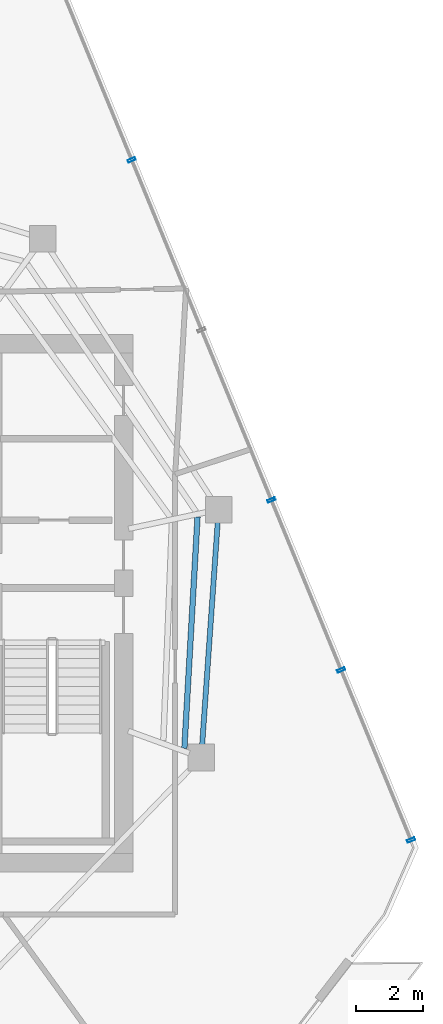
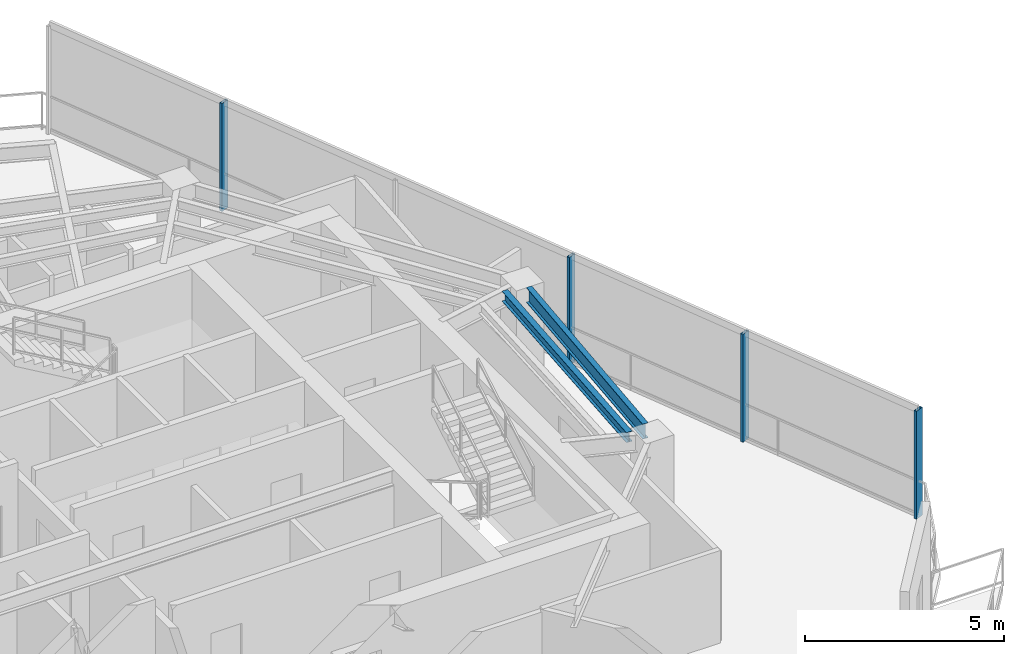
# One storey, part 10 of 19: 4 members, 2 beams, 1 element without a shape of its own.
"""IFC4 building model written with IfcOpenShell, lengths in metres."""

from ifc_helpers import new_model, si_unit, direction, frame, origin, origin_2d, place, context, subcontext, project, spatial, hollow_rectangle, i_section, extrude, material, layer, layer_set, material_profile, profile_set, type_object, element, aggregate, save


model = new_model("IFC4")

# Units and contexts
model_context = context("Model", 3, precision=1e-05, world=origin(), true_north=direction((0.0, 1.0)))
body_context = subcontext(model_context, "Body", "Model", "MODEL_VIEW")
ifc_project = project(units=[si_unit("LENGTHUNIT", "METRE"), si_unit("AREAUNIT", "SQUARE_METRE"), si_unit("VOLUMEUNIT", "CUBIC_METRE"), si_unit("PLANEANGLEUNIT", "RADIAN"), si_unit("MASSUNIT", "GRAM", prefix="KILO")], contexts=[model_context])

# Site, building, storey
site_placement = place(None, origin())
site = spatial("IfcSite", under=ifc_project, at=site_placement, CompositionType="ELEMENT")
building_placement = place(site_placement, origin())
building = spatial("IfcBuilding", under=site, at=building_placement, Name="Qarnah Convention Tower", CompositionType="ELEMENT")
storey_placement = place(building_placement, frame((0.0, 0.0, 264.300048828125)))
storey = spatial("IfcBuildingStorey", under=building, at=storey_placement, Name="L71", CompositionType="ELEMENT", Elevation=264.300048828125)

# Beams
ifc_material_1 = material(Name="Structural steel S355JR", Category="steel")
ifc_material_profile_1 = material_profile(ifc_material_1, i_section(OverallWidth=0.166015625, OverallDepth=0.31201171875, WebThickness=0.007080078125, FlangeThickness=0.010986328125, at=origin_2d()), Name="W310X45")
ifc_profile_set_1 = profile_set([ifc_material_profile_1], Name="Structural steel S355JR")
beam_type_1 = type_object("IfcBeamType", Name="BM-JST-W310", PredefinedType="JOIST", material=ifc_profile_set_1)
beam_1_placement = place(storey_placement, frame((49.425048828125, 22.04296875, 3.1640625), z_axis=(0.056885989552, 0.998380680999, 0.0), x_axis=(-0.998380680999, 0.056885989552, 0.0)))
element("IfcBeam", 1, at=beam_1_placement, inside=storey, type_object=beam_type_1, Name="L71 joist BM-L71-SJST-09", PredefinedType="JOIST", context=body_context, shape_type="SweptSolid", body=[
    extrude(i_section(OverallWidth=0.166015625, OverallDepth=0.31201171875, WebThickness=0.007080078125, FlangeThickness=0.010986328125, at=origin_2d()), origin(), (0.0, 0.0, 1.0), 6.961181640625),
])
ifc_material_profile_2 = material_profile(ifc_material_1, i_section(OverallWidth=0.154052734375, OverallDepth=0.4599609375, WebThickness=0.009033203125, FlangeThickness=0.014892578125, at=origin_2d()), Name="W460X68")
ifc_profile_set_2 = profile_set([ifc_material_profile_2], Name="Structural steel S355JR")
beam_type_2 = type_object("IfcBeamType", Name="BM-SPN-W460B", PredefinedType="SPANDREL", material=ifc_profile_set_2)
beam_2_placement = place(storey_placement, frame((49.9599609375, 22.155029296875, 3.08984375), z_axis=(0.069820410922, 0.997559577278, 0.0), x_axis=(-0.997559577278, 0.069820410922, 0.0)))
element("IfcBeam", 2, at=beam_2_placement, inside=storey, type_object=beam_type_2, Name="L71 spandrel BM-L71-SPN-09", PredefinedType="SPANDREL", context=body_context, shape_type="SweptSolid", body=[
    extrude(i_section(OverallWidth=0.154052734375, OverallDepth=0.4599609375, WebThickness=0.009033203125, FlangeThickness=0.014892578125, at=origin_2d()), origin(), (0.0, 0.0, 1.0), 6.689208984375),
])

# Curtain wall, members
ifc_material_2 = material(Name="Tempered Low-E dark glass", Category="glass")
ifc_layer = layer(ifc_material_2, 0.176025390625)
ifc_layer_set = layer_set([ifc_layer], Name="Tempered Low-E dark glass")
curtain_wall_type = type_object("IfcCurtainWallType", Name="CWS-05", PredefinedType="NOTDEFINED", material=ifc_layer_set)
curtain_wall_placement = place(storey_placement, origin())
curtain_wall = element("IfcCurtainWall", 3, at=curtain_wall_placement, inside=storey, type_object=curtain_wall_type, Name="L71 unitised curtain wall CW-L71-F1", PredefinedType="NOTDEFINED")
ifc_material_3 = material(Name="Black anodised aluminium", Category="aluminium")
ifc_material_profile_3 = material_profile(ifc_material_3, hollow_rectangle(XDim=0.080078125, YDim=0.239990234375, WallThickness=0.0048828125, at=origin_2d()), Name="MUL-80X240")
ifc_profile_set_3 = profile_set([ifc_material_profile_3], Name="Black anodised aluminium")
member_type = type_object("IfcMemberType", Name="MUL-T5", PredefinedType="MULLION", material=ifc_profile_set_3)
member_1_placement = place(storey_placement, frame((47.84228515625, 39.728515625, 0.0), z_axis=(0.0, 0.0, 1.0), x_axis=(0.37977560806, -0.925078638561, 0.0)))
member_1 = element("IfcMember", 4, at=member_1_placement, type_object=member_type, Name="CW-L71-F1 mullion 2", PredefinedType="MULLION", context=body_context, shape_type="SweptSolid", body=[
    extrude(hollow_rectangle(XDim=0.080078125, YDim=0.239990234375, WallThickness=0.0048828125, at=origin_2d()), origin(), (0.0, 0.0, 1.0), 3.320068359375),
])
member_2_placement = place(storey_placement, frame((52.039306640625, 29.505859375, 0.0), z_axis=(0.0, 0.0, 1.0), x_axis=(0.37977560806, -0.925078638561, 0.0)))
member_2 = element("IfcMember", 5, at=member_2_placement, type_object=member_type, Name="CW-L71-F1 mullion 4", PredefinedType="MULLION", context=body_context, shape_type="SweptSolid", body=[
    extrude(hollow_rectangle(XDim=0.080078125, YDim=0.239990234375, WallThickness=0.0048828125, at=origin_2d()), origin(), (0.0, 0.0, 1.0), 3.320068359375),
])
member_3_placement = place(storey_placement, frame((54.1376953125, 24.394287109375, 0.0), z_axis=(0.0, 0.0, 1.0), x_axis=(0.37977560806, -0.925078638561, 0.0)))
member_3 = element("IfcMember", 6, at=member_3_placement, type_object=member_type, Name="CW-L71-F1 mullion 5", PredefinedType="MULLION", context=body_context, shape_type="SweptSolid", body=[
    extrude(hollow_rectangle(XDim=0.080078125, YDim=0.239990234375, WallThickness=0.0048828125, at=origin_2d()), origin(), (0.0, 0.0, 1.0), 3.320068359375),
])
member_4_placement = place(storey_placement, frame((56.236083984375, 19.282958984375, 0.0), z_axis=(0.0, 0.0, 1.0), x_axis=(0.37977560806, -0.925078638561, 0.0)))
member_4 = element("IfcMember", 7, at=member_4_placement, type_object=member_type, Name="CW-L71-F1 mullion 6", PredefinedType="MULLION", context=body_context, shape_type="SweptSolid", body=[
    extrude(hollow_rectangle(XDim=0.080078125, YDim=0.239990234375, WallThickness=0.0048828125, at=origin_2d()), origin(), (0.0, 0.0, 1.0), 3.320068359375),
])
aggregate(curtain_wall, [member_1, member_2, member_3, member_4])

save(model, "model.ifc")
